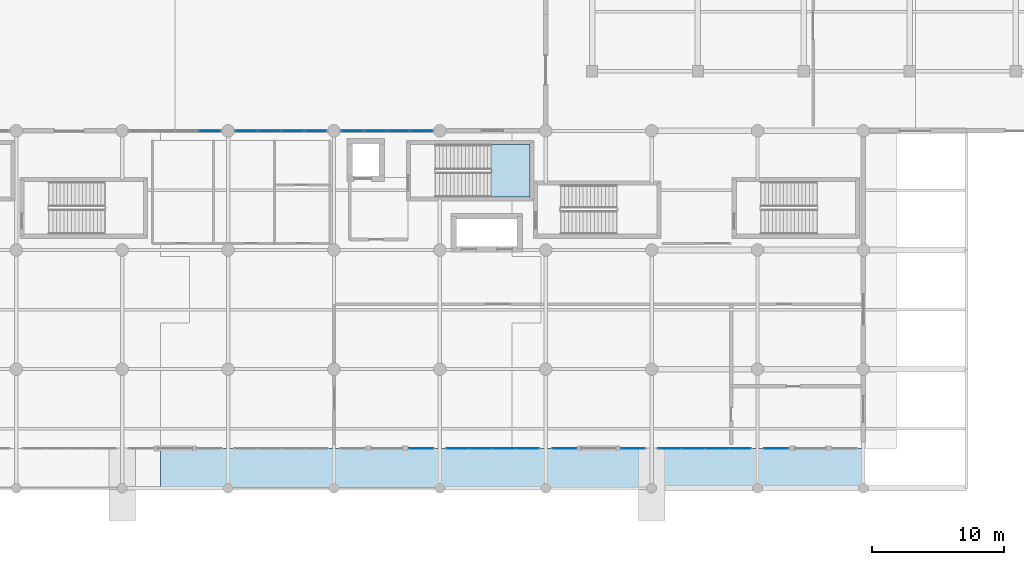
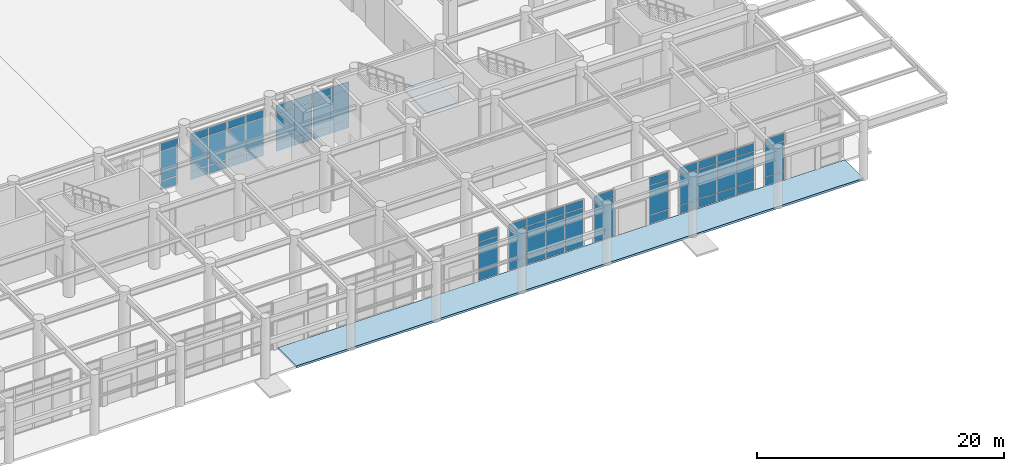
# One storey, part 21 of 49: 63 plates, 2 slabs, 10 elements without a shape of their own.
"""IFC4 building model written with IfcOpenShell, lengths in metres."""

import ifcopenshell
import ifcopenshell.guid

model = None  # the IFC model being written
_history = None  # IfcOwnerHistory: only IFC2X3 demands one
_inside = {}  # id of a spatial element -> (the spatial element, [elements in it])
_under = {}  # id of a project, library or spatial element -> (it, [spatial elements below it])
_declared = {}  # id of a project -> (the project, [libraries it declares])
_typed = {}  # id of a type object -> (the type object, [elements of that type])
_made_of = {}  # id of a material, layer set ... -> (it, [elements and type objects made of it])


def new_model(schema):
    """Start an empty IFC model of exactly this schema.

    Asked for "IFC4X3", IfcOpenShell would pick the latest addendum, in which some entities
    have other attributes; the version numbers below select the first issue.
    IFC2X3 requires an IfcOwnerHistory on every rooted entity: one is made here for all.
    """
    global model, _history
    if schema == "IFC4X3":
        model = ifcopenshell.file(schema_version=(4, 3, 0, 0))
    else:
        model = ifcopenshell.file(schema=schema)
    _inside.clear()
    _under.clear()
    _declared.clear()
    _typed.clear()
    _made_of.clear()
    _history = None
    if model.schema == "IFC2X3":
        org = make("IfcOrganization", Name="unknown")
        user = make(
            "IfcPersonAndOrganization",
            ThePerson=make("IfcPerson", FamilyName="unknown"),
            TheOrganization=org,
        )
        app = make(
            "IfcApplication",
            ApplicationDeveloper=org,
            Version="unknown",
            ApplicationFullName="unknown",
            ApplicationIdentifier="unknown",
        )
        _history = make(
            "IfcOwnerHistory",
            OwningUser=user,
            OwningApplication=app,
            ChangeAction="ADDED",
            CreationDate=0,
        )
    return model


def make(cls, **values):
    """One entity of the class cls with the attributes given. An attribute that is None is left unset."""
    return model.create_entity(
        cls, **{name: value for name, value in values.items() if value is not None}
    )


def rooted(cls, **values):
    """An entity with a GlobalId (a new one), such as an element, a storey or a relation."""
    return make(cls, GlobalId=ifcopenshell.guid.new(), OwnerHistory=_history, **values)


def si_unit(unit_type, name, prefix=None):
    """IfcSIUnit, for example si_unit("LENGTHUNIT", "METRE", prefix="MILLI")."""
    return make("IfcSIUnit", UnitType=unit_type, Prefix=prefix, Name=name)


def assignment(units):
    """IfcUnitAssignment: the units of a project."""
    return None if units is None else make("IfcUnitAssignment", Units=units)


def point(xyz):
    """IfcCartesianPoint."""
    return None if xyz is None else make("IfcCartesianPoint", Coordinates=xyz)


def direction(xyz):
    """IfcDirection."""
    return None if xyz is None else make("IfcDirection", DirectionRatios=xyz)


def frame(location, z_axis=None, x_axis=None):
    """IfcAxis2Placement3D, a coordinate frame: its origin and axes. An axis left out is left unset."""
    return make(
        "IfcAxis2Placement3D",
        Location=point(location),
        Axis=direction(z_axis),
        RefDirection=direction(x_axis),
    )


def frame_2d(location, x_axis=None):
    """IfcAxis2Placement2D, a coordinate frame in the plane: its origin and x axis."""
    return make(
        "IfcAxis2Placement2D", Location=point(location), RefDirection=direction(x_axis)
    )


def origin():
    """The frame at (0, 0, 0) with its axes left unset."""
    return frame((0.0, 0.0, 0.0))


def origin_2d():
    """The frame at (0, 0) in the plane with its x axis left unset."""
    return frame_2d((0.0, 0.0))


def place(relative_to, where):
    """IfcLocalPlacement: puts the frame where relative to a parent placement (None: the world)."""
    return make(
        "IfcLocalPlacement", PlacementRelTo=relative_to, RelativePlacement=where
    )


def context(
    kind, dimensions, precision=None, world=None, true_north=None, identifier=None
):
    """IfcGeometricRepresentationContext, for example the 3D "Model" context."""
    return make(
        "IfcGeometricRepresentationContext",
        ContextIdentifier=identifier,
        ContextType=kind,
        CoordinateSpaceDimension=dimensions,
        Precision=precision,
        WorldCoordinateSystem=world,
        TrueNorth=true_north,
    )


def subcontext(parent, identifier, kind, view, scale=None):
    """IfcGeometricRepresentationSubContext, for example "Body" below "Model"."""
    return make(
        "IfcGeometricRepresentationSubContext",
        ContextIdentifier=identifier,
        ContextType=kind,
        ParentContext=parent,
        TargetScale=scale,
        TargetView=view,
    )


def project(units=None, contexts=None):
    """IfcProject with its units and contexts."""
    return rooted(
        "IfcProject",
        Name="project",
        RepresentationContexts=contexts,
        UnitsInContext=assignment(units),
    )


def spatial(cls, under=None, at=None, **own):
    """A site, building, storey or space (cls), placed at a placement, below another one or the project."""
    s = rooted(cls, ObjectPlacement=at, **own)
    if under is not None:
        _under.setdefault(under.id(), (under, []))[1].append(s)
    return s


def polyline(points):
    """IfcPolyline through the points."""
    return make("IfcPolyline", Points=[point(p) for p in points])


def profile(cls, at=None, kind="AREA", **sizes):
    """A parametric profile (cls). Its sizes go by their IFC names, for example OverallWidth=200.0."""
    return make(cls, ProfileType=kind, Position=at, **sizes)


def rectangle(**sizes):
    """IfcRectangleProfileDef."""
    return profile("IfcRectangleProfileDef", **sizes)


def outline(outer, holes=None, kind="AREA"):
    """IfcArbitraryClosedProfileDef: a profile drawn as a closed curve; with holes, ...WithVoids."""
    if holes is None:
        return make("IfcArbitraryClosedProfileDef", ProfileType=kind, OuterCurve=outer)
    return make(
        "IfcArbitraryProfileDefWithVoids",
        ProfileType=kind,
        OuterCurve=outer,
        InnerCurves=holes,
    )


def extrude(swept, where, along, depth):
    """IfcExtrudedAreaSolid: the profile swept, set in the frame where, extruded along a direction by depth."""
    return make(
        "IfcExtrudedAreaSolid",
        SweptArea=swept,
        Position=where,
        ExtrudedDirection=direction(along),
        Depth=depth,
    )


def shape(context_of_items, identifier, shape_type, items):
    """IfcShapeRepresentation: the items that make up one representation, for example the "Body"."""
    return make(
        "IfcShapeRepresentation",
        ContextOfItems=context_of_items,
        RepresentationIdentifier=identifier,
        RepresentationType=shape_type,
        Items=items,
    )


def material(Name=None, Category=None):
    """IfcMaterial."""
    return make("IfcMaterial", Name=Name, Category=Category)


def layer(
    of_material, thickness, ventilated=None, Name=None, Category=None, Priority=None
):
    """IfcMaterialLayer: one layer of a wall or slab, of a material (None: an air gap)."""
    return make(
        "IfcMaterialLayer",
        Material=of_material,
        LayerThickness=thickness,
        IsVentilated=ventilated,
        Name=Name,
        Category=Category,
        Priority=Priority,
    )


def layer_set(layers, Name=None):
    """IfcMaterialLayerSet."""
    return make("IfcMaterialLayerSet", MaterialLayers=layers, LayerSetName=Name)


def made_of(thing, what):
    """Note that an element or type object is made of a material, layer set ...; save() writes the relation."""
    if what is not None:
        _made_of.setdefault(what.id(), (what, []))[1].append(thing)
    return thing


def type_object(cls, material=None, **own):
    """A type object (cls), such as IfcWallType, which elements share."""
    return made_of(rooted(cls, **own), material)


def element(
    cls,
    number,
    at=None,
    inside=None,
    cuts=None,
    type_object=None,
    material=None,
    context=None,
    identifier="Body",
    shape_type=None,
    held_by="IfcProductDefinitionShape",
    body=None,
    shapes=None,
    **own,
):
    """One element of the class cls, such as IfcWall. Its Tag is "e" and its number.

    at: its placement. inside: the storey or other place that contains it. cuts: it is an
    opening in that element (IfcRelVoidsElement). A single representation is given by context,
    identifier, shape_type and body (its items); several are given by shapes. held_by: the class
    of the entity that holds the representations. save() writes the other relations.
    """
    e = rooted(cls, Tag="e%d" % number, ObjectPlacement=at, **own)
    if body is not None:
        shapes = [shape(context, identifier, shape_type, body)]
    if shapes is not None:
        e.Representation = make(held_by, Representations=shapes)
    if inside is not None:
        _inside.setdefault(inside.id(), (inside, []))[1].append(e)
    if cuts is not None:
        rooted(
            "IfcRelVoidsElement", RelatingBuildingElement=cuts, RelatedOpeningElement=e
        )
    if type_object is not None:
        _typed.setdefault(type_object.id(), (type_object, []))[1].append(e)
    return made_of(e, material)


def aggregate(whole, parts):
    """IfcRelAggregates: a whole, such as a stair, and the parts it consists of."""
    return rooted("IfcRelAggregates", RelatingObject=whole, RelatedObjects=parts)


def save(model, path):
    """Write the relations noted so far, then the file.

    IfcRelAggregates (storeys below a building ...), IfcRelContainedInSpatialStructure (elements
    in a storey), IfcRelDefinesByType, IfcRelAssociatesMaterial and IfcRelDeclares: one each for
    every whole, place, type object, material and project.
    """
    for whole, parts in _under.values():
        aggregate(whole, parts)
    for where, things in _inside.values():
        rooted(
            "IfcRelContainedInSpatialStructure",
            RelatedElements=things,
            RelatingStructure=where,
        )
    for kind, things in _typed.values():
        rooted("IfcRelDefinesByType", RelatedObjects=things, RelatingType=kind)
    for what, things in _made_of.values():
        rooted("IfcRelAssociatesMaterial", RelatedObjects=things, RelatingMaterial=what)
    for by, libraries in _declared.values():
        rooted("IfcRelDeclares", RelatingContext=by, RelatedDefinitions=libraries)
    model.write(path)


model = new_model("IFC4")

# Units and contexts
model_context = context("Model", 3, precision=1e-05, world=origin(), true_north=direction((0.0, 1.0)))
body_context = subcontext(model_context, "Body", "Model", "MODEL_VIEW")
ifc_project = project(units=[si_unit("LENGTHUNIT", "METRE"), si_unit("AREAUNIT", "SQUARE_METRE"), si_unit("VOLUMEUNIT", "CUBIC_METRE"), si_unit("PLANEANGLEUNIT", "RADIAN"), si_unit("MASSUNIT", "GRAM", prefix="KILO")], contexts=[model_context])

# Site, building, storey
site_placement = place(None, origin())
site = spatial("IfcSite", under=ifc_project, at=site_placement, CompositionType="ELEMENT")
building_placement = place(site_placement, origin())
building = spatial("IfcBuilding", under=site, at=building_placement, Name="Tlacozan Convention Centre", CompositionType="ELEMENT")
storey_placement = place(building_placement, origin())
storey = spatial("IfcBuildingStorey", under=building, at=storey_placement, Name="L00", CompositionType="ELEMENT", Elevation=0.0)

# Curtain wall, plates
ifc_material_1 = material(Name="Dark Bronze Anodised Aluminium", Category="aluminium")
ifc_layer_1 = layer(ifc_material_1, 0.199951171875)
ifc_layer_set_1 = layer_set([ifc_layer_1], Name="Dark Bronze Anodised Aluminium")
curtain_wall_type_1 = type_object("IfcCurtainWallType", Name="Unitised Courtyard Cloister L00 CW07", PredefinedType="NOTDEFINED", material=ifc_layer_set_1)
curtain_wall_1_placement = place(storey_placement, origin())
curtain_wall_1 = element("IfcCurtainWall", 1, at=curtain_wall_1_placement, inside=storey, type_object=curtain_wall_type_1, Name="L00 CW-07 Run 52", PredefinedType="NOTDEFINED")
ifc_material_2 = material(Name="Solar Control Double Low-E Argon Glazing", Category="glass")
ifc_layer_2 = layer(ifc_material_2, 0.030029296875)
ifc_layer_set_2 = layer_set([ifc_layer_2], Name="Solar Control Double Low-E Argon Glazing")
plate_type_1 = type_object("IfcPlateType", Name="Double Low-E Acoustic CW Panel 30", PredefinedType="CURTAIN_PANEL", material=ifc_layer_set_2)
plate_1_placement = place(storey_placement, frame((62.606201171875, 27.0, 0.074951171875), z_axis=(0.0, 0.0, 1.0), x_axis=(1.0, 0.0, 0.0)))
plate_1 = element("IfcPlate", 2, at=plate_1_placement, type_object=plate_type_1, Name="CW-07 panel 4.1", PredefinedType="CURTAIN_PANEL", context=body_context, shape_type="SweptSolid", body=[
    extrude(rectangle(XDim=1.637451171875, YDim=0.030029296875, at=origin_2d()), origin(), (0.0, 0.0, 1.0), 0.78759765625),
])
plate_2_placement = place(storey_placement, frame((62.606201171875, 27.0, 0.9375), z_axis=(0.0, 0.0, 1.0), x_axis=(1.0, 0.0, 0.0)))
plate_2 = element("IfcPlate", 3, at=plate_2_placement, type_object=plate_type_1, Name="CW-07 panel 4.2", PredefinedType="CURTAIN_PANEL", context=body_context, shape_type="SweptSolid", body=[
    extrude(rectangle(XDim=1.637451171875, YDim=0.030029296875, at=origin_2d()), origin(), (0.0, 0.0, 1.0), 2.875),
])
plate_3_placement = place(storey_placement, frame((62.606201171875, 27.0, 3.8876953125), z_axis=(0.0, 0.0, 1.0), x_axis=(1.0, 0.0, 0.0)))
plate_3 = element("IfcPlate", 4, at=plate_3_placement, type_object=plate_type_1, Name="CW-07 panel 4.3", PredefinedType="CURTAIN_PANEL", context=body_context, shape_type="SweptSolid", body=[
    extrude(rectangle(XDim=1.637451171875, YDim=0.030029296875, at=origin_2d()), origin(), (0.0, 0.0, 1.0), 0.737548828125),
])
aggregate(curtain_wall_1, [plate_1, plate_2, plate_3])

curtain_wall_2_placement = place(storey_placement, origin())
curtain_wall_2 = element("IfcCurtainWall", 5, at=curtain_wall_2_placement, inside=storey, type_object=curtain_wall_type_1, Name="L00 CW-07 Run 53", PredefinedType="NOTDEFINED")
plate_4_placement = place(storey_placement, frame((65.393798828125, 27.0, 0.074951171875), z_axis=(0.0, 0.0, 1.0), x_axis=(1.0, 0.0, 0.0)))
plate_4 = element("IfcPlate", 6, at=plate_4_placement, type_object=plate_type_1, Name="CW-07 panel 1.1", PredefinedType="CURTAIN_PANEL", context=body_context, shape_type="SweptSolid", body=[
    extrude(rectangle(XDim=1.637451171875, YDim=0.030029296875, at=origin_2d()), origin(), (0.0, 0.0, 1.0), 0.78759765625),
])
plate_5_placement = place(storey_placement, frame((65.393798828125, 27.0, 0.9375), z_axis=(0.0, 0.0, 1.0), x_axis=(1.0, 0.0, 0.0)))
plate_5 = element("IfcPlate", 7, at=plate_5_placement, type_object=plate_type_1, Name="CW-07 panel 1.2", PredefinedType="CURTAIN_PANEL", context=body_context, shape_type="SweptSolid", body=[
    extrude(rectangle(XDim=1.637451171875, YDim=0.030029296875, at=origin_2d()), origin(), (0.0, 0.0, 1.0), 2.875),
])
plate_6_placement = place(storey_placement, frame((65.393798828125, 27.0, 3.8876953125), z_axis=(0.0, 0.0, 1.0), x_axis=(1.0, 0.0, 0.0)))
plate_6 = element("IfcPlate", 8, at=plate_6_placement, type_object=plate_type_1, Name="CW-07 panel 1.3", PredefinedType="CURTAIN_PANEL", context=body_context, shape_type="SweptSolid", body=[
    extrude(rectangle(XDim=1.637451171875, YDim=0.030029296875, at=origin_2d()), origin(), (0.0, 0.0, 1.0), 0.737548828125),
])
plate_7_placement = place(storey_placement, frame((67.125, 27.0, 0.074951171875), z_axis=(0.0, 0.0, 1.0), x_axis=(1.0, 0.0, 0.0)))
plate_7 = element("IfcPlate", 9, at=plate_7_placement, type_object=plate_type_1, Name="CW-07 panel 2.1", PredefinedType="CURTAIN_PANEL", context=body_context, shape_type="SweptSolid", body=[
    extrude(rectangle(XDim=1.675048828125, YDim=0.030029296875, at=origin_2d()), origin(), (0.0, 0.0, 1.0), 0.78759765625),
])
plate_8_placement = place(storey_placement, frame((67.125, 27.0, 0.9375), z_axis=(0.0, 0.0, 1.0), x_axis=(1.0, 0.0, 0.0)))
plate_8 = element("IfcPlate", 10, at=plate_8_placement, type_object=plate_type_1, Name="CW-07 panel 2.2", PredefinedType="CURTAIN_PANEL", context=body_context, shape_type="SweptSolid", body=[
    extrude(rectangle(XDim=1.675048828125, YDim=0.030029296875, at=origin_2d()), origin(), (0.0, 0.0, 1.0), 2.875),
])
plate_9_placement = place(storey_placement, frame((67.125, 27.0, 3.8876953125), z_axis=(0.0, 0.0, 1.0), x_axis=(1.0, 0.0, 0.0)))
plate_9 = element("IfcPlate", 11, at=plate_9_placement, type_object=plate_type_1, Name="CW-07 panel 2.3", PredefinedType="CURTAIN_PANEL", context=body_context, shape_type="SweptSolid", body=[
    extrude(rectangle(XDim=1.675048828125, YDim=0.030029296875, at=origin_2d()), origin(), (0.0, 0.0, 1.0), 0.737548828125),
])
plate_10_placement = place(storey_placement, frame((68.875, 27.0, 0.074951171875), z_axis=(0.0, 0.0, 1.0), x_axis=(1.0, 0.0, 0.0)))
plate_10 = element("IfcPlate", 12, at=plate_10_placement, type_object=plate_type_1, Name="CW-07 panel 3.1", PredefinedType="CURTAIN_PANEL", context=body_context, shape_type="SweptSolid", body=[
    extrude(rectangle(XDim=1.675048828125, YDim=0.030029296875, at=origin_2d()), origin(), (0.0, 0.0, 1.0), 0.78759765625),
])
plate_11_placement = place(storey_placement, frame((68.875, 27.0, 0.9375), z_axis=(0.0, 0.0, 1.0), x_axis=(1.0, 0.0, 0.0)))
plate_11 = element("IfcPlate", 13, at=plate_11_placement, type_object=plate_type_1, Name="CW-07 panel 3.2", PredefinedType="CURTAIN_PANEL", context=body_context, shape_type="SweptSolid", body=[
    extrude(rectangle(XDim=1.675048828125, YDim=0.030029296875, at=origin_2d()), origin(), (0.0, 0.0, 1.0), 2.875),
])
plate_12_placement = place(storey_placement, frame((68.875, 27.0, 3.8876953125), z_axis=(0.0, 0.0, 1.0), x_axis=(1.0, 0.0, 0.0)))
plate_12 = element("IfcPlate", 14, at=plate_12_placement, type_object=plate_type_1, Name="CW-07 panel 3.3", PredefinedType="CURTAIN_PANEL", context=body_context, shape_type="SweptSolid", body=[
    extrude(rectangle(XDim=1.675048828125, YDim=0.030029296875, at=origin_2d()), origin(), (0.0, 0.0, 1.0), 0.737548828125),
])
plate_13_placement = place(storey_placement, frame((70.606201171875, 27.0, 0.074951171875), z_axis=(0.0, 0.0, 1.0), x_axis=(1.0, 0.0, 0.0)))
plate_13 = element("IfcPlate", 15, at=plate_13_placement, type_object=plate_type_1, Name="CW-07 panel 4.1", PredefinedType="CURTAIN_PANEL", context=body_context, shape_type="SweptSolid", body=[
    extrude(rectangle(XDim=1.637451171875, YDim=0.030029296875, at=origin_2d()), origin(), (0.0, 0.0, 1.0), 0.78759765625),
])
plate_14_placement = place(storey_placement, frame((70.606201171875, 27.0, 0.9375), z_axis=(0.0, 0.0, 1.0), x_axis=(1.0, 0.0, 0.0)))
plate_14 = element("IfcPlate", 16, at=plate_14_placement, type_object=plate_type_1, Name="CW-07 panel 4.2", PredefinedType="CURTAIN_PANEL", context=body_context, shape_type="SweptSolid", body=[
    extrude(rectangle(XDim=1.637451171875, YDim=0.030029296875, at=origin_2d()), origin(), (0.0, 0.0, 1.0), 2.875),
])
plate_15_placement = place(storey_placement, frame((70.606201171875, 27.0, 3.8876953125), z_axis=(0.0, 0.0, 1.0), x_axis=(1.0, 0.0, 0.0)))
plate_15 = element("IfcPlate", 17, at=plate_15_placement, type_object=plate_type_1, Name="CW-07 panel 4.3", PredefinedType="CURTAIN_PANEL", context=body_context, shape_type="SweptSolid", body=[
    extrude(rectangle(XDim=1.637451171875, YDim=0.030029296875, at=origin_2d()), origin(), (0.0, 0.0, 1.0), 0.737548828125),
])
aggregate(curtain_wall_2, [plate_4, plate_5, plate_6, plate_7, plate_8, plate_9, plate_10, plate_11, plate_12, plate_13, plate_14, plate_15])

curtain_wall_3_placement = place(storey_placement, origin())
curtain_wall_3 = element("IfcCurtainWall", 18, at=curtain_wall_3_placement, inside=storey, type_object=curtain_wall_type_1, Name="L00 CW-07 Run 54", PredefinedType="NOTDEFINED")
plate_16_placement = place(storey_placement, frame((73.393798828125, 27.0, 0.074951171875), z_axis=(0.0, 0.0, 1.0), x_axis=(1.0, 0.0, 0.0)))
plate_16 = element("IfcPlate", 19, at=plate_16_placement, type_object=plate_type_1, Name="CW-07 panel 1.1", PredefinedType="CURTAIN_PANEL", context=body_context, shape_type="SweptSolid", body=[
    extrude(rectangle(XDim=1.637451171875, YDim=0.030029296875, at=origin_2d()), origin(), (0.0, 0.0, 1.0), 0.78759765625),
])
plate_17_placement = place(storey_placement, frame((73.393798828125, 27.0, 0.9375), z_axis=(0.0, 0.0, 1.0), x_axis=(1.0, 0.0, 0.0)))
plate_17 = element("IfcPlate", 20, at=plate_17_placement, type_object=plate_type_1, Name="CW-07 panel 1.2", PredefinedType="CURTAIN_PANEL", context=body_context, shape_type="SweptSolid", body=[
    extrude(rectangle(XDim=1.637451171875, YDim=0.030029296875, at=origin_2d()), origin(), (0.0, 0.0, 1.0), 2.875),
])
plate_18_placement = place(storey_placement, frame((73.393798828125, 27.0, 3.8876953125), z_axis=(0.0, 0.0, 1.0), x_axis=(1.0, 0.0, 0.0)))
plate_18 = element("IfcPlate", 21, at=plate_18_placement, type_object=plate_type_1, Name="CW-07 panel 1.3", PredefinedType="CURTAIN_PANEL", context=body_context, shape_type="SweptSolid", body=[
    extrude(rectangle(XDim=1.637451171875, YDim=0.030029296875, at=origin_2d()), origin(), (0.0, 0.0, 1.0), 0.737548828125),
])
plate_19_placement = place(storey_placement, frame((75.125, 27.0, 0.074951171875), z_axis=(0.0, 0.0, 1.0), x_axis=(1.0, 0.0, 0.0)))
plate_19 = element("IfcPlate", 22, at=plate_19_placement, type_object=plate_type_1, Name="CW-07 panel 2.1", PredefinedType="CURTAIN_PANEL", context=body_context, shape_type="SweptSolid", body=[
    extrude(rectangle(XDim=1.675048828125, YDim=0.030029296875, at=origin_2d()), origin(), (0.0, 0.0, 1.0), 0.78759765625),
])
plate_20_placement = place(storey_placement, frame((75.125, 27.0, 0.9375), z_axis=(0.0, 0.0, 1.0), x_axis=(1.0, 0.0, 0.0)))
plate_20 = element("IfcPlate", 23, at=plate_20_placement, type_object=plate_type_1, Name="CW-07 panel 2.2", PredefinedType="CURTAIN_PANEL", context=body_context, shape_type="SweptSolid", body=[
    extrude(rectangle(XDim=1.675048828125, YDim=0.030029296875, at=origin_2d()), origin(), (0.0, 0.0, 1.0), 2.875),
])
plate_21_placement = place(storey_placement, frame((75.125, 27.0, 3.8876953125), z_axis=(0.0, 0.0, 1.0), x_axis=(1.0, 0.0, 0.0)))
plate_21 = element("IfcPlate", 24, at=plate_21_placement, type_object=plate_type_1, Name="CW-07 panel 2.3", PredefinedType="CURTAIN_PANEL", context=body_context, shape_type="SweptSolid", body=[
    extrude(rectangle(XDim=1.675048828125, YDim=0.030029296875, at=origin_2d()), origin(), (0.0, 0.0, 1.0), 0.737548828125),
])
plate_22_placement = place(storey_placement, frame((76.875, 27.0, 0.074951171875), z_axis=(0.0, 0.0, 1.0), x_axis=(1.0, 0.0, 0.0)))
plate_22 = element("IfcPlate", 25, at=plate_22_placement, type_object=plate_type_1, Name="CW-07 panel 3.1", PredefinedType="CURTAIN_PANEL", context=body_context, shape_type="SweptSolid", body=[
    extrude(rectangle(XDim=1.675048828125, YDim=0.030029296875, at=origin_2d()), origin(), (0.0, 0.0, 1.0), 0.78759765625),
])
plate_23_placement = place(storey_placement, frame((76.875, 27.0, 0.9375), z_axis=(0.0, 0.0, 1.0), x_axis=(1.0, 0.0, 0.0)))
plate_23 = element("IfcPlate", 26, at=plate_23_placement, type_object=plate_type_1, Name="CW-07 panel 3.2", PredefinedType="CURTAIN_PANEL", context=body_context, shape_type="SweptSolid", body=[
    extrude(rectangle(XDim=1.675048828125, YDim=0.030029296875, at=origin_2d()), origin(), (0.0, 0.0, 1.0), 2.875),
])
plate_24_placement = place(storey_placement, frame((76.875, 27.0, 3.8876953125), z_axis=(0.0, 0.0, 1.0), x_axis=(1.0, 0.0, 0.0)))
plate_24 = element("IfcPlate", 27, at=plate_24_placement, type_object=plate_type_1, Name="CW-07 panel 3.3", PredefinedType="CURTAIN_PANEL", context=body_context, shape_type="SweptSolid", body=[
    extrude(rectangle(XDim=1.675048828125, YDim=0.030029296875, at=origin_2d()), origin(), (0.0, 0.0, 1.0), 0.737548828125),
])
plate_25_placement = place(storey_placement, frame((78.606201171875, 27.0, 0.074951171875), z_axis=(0.0, 0.0, 1.0), x_axis=(1.0, 0.0, 0.0)))
plate_25 = element("IfcPlate", 28, at=plate_25_placement, type_object=plate_type_1, Name="CW-07 panel 4.1", PredefinedType="CURTAIN_PANEL", context=body_context, shape_type="SweptSolid", body=[
    extrude(rectangle(XDim=1.637451171875, YDim=0.030029296875, at=origin_2d()), origin(), (0.0, 0.0, 1.0), 0.78759765625),
])
plate_26_placement = place(storey_placement, frame((78.606201171875, 27.0, 0.9375), z_axis=(0.0, 0.0, 1.0), x_axis=(1.0, 0.0, 0.0)))
plate_26 = element("IfcPlate", 29, at=plate_26_placement, type_object=plate_type_1, Name="CW-07 panel 4.2", PredefinedType="CURTAIN_PANEL", context=body_context, shape_type="SweptSolid", body=[
    extrude(rectangle(XDim=1.637451171875, YDim=0.030029296875, at=origin_2d()), origin(), (0.0, 0.0, 1.0), 2.875),
])
plate_27_placement = place(storey_placement, frame((78.606201171875, 27.0, 3.8876953125), z_axis=(0.0, 0.0, 1.0), x_axis=(1.0, 0.0, 0.0)))
plate_27 = element("IfcPlate", 30, at=plate_27_placement, type_object=plate_type_1, Name="CW-07 panel 4.3", PredefinedType="CURTAIN_PANEL", context=body_context, shape_type="SweptSolid", body=[
    extrude(rectangle(XDim=1.637451171875, YDim=0.030029296875, at=origin_2d()), origin(), (0.0, 0.0, 1.0), 0.737548828125),
])
aggregate(curtain_wall_3, [plate_16, plate_17, plate_18, plate_19, plate_20, plate_21, plate_22, plate_23, plate_24, plate_25, plate_26, plate_27])

ifc_layer_3 = layer(ifc_material_1, 0.159912109375)
ifc_layer_set_3 = layer_set([ifc_layer_3], Name="Dark Bronze Anodised Aluminium")
curtain_wall_type_2 = type_object("IfcCurtainWallType", Name="Unitised Concourse Curtain Wall CW01", PredefinedType="NOTDEFINED", material=ifc_layer_set_3)
curtain_wall_4_placement = place(storey_placement, origin())
curtain_wall_4 = element("IfcCurtainWall", 31, at=curtain_wall_4_placement, inside=storey, type_object=curtain_wall_type_2, Name="L00 CW-01 Run 43", PredefinedType="NOTDEFINED")
ifc_layer_4 = layer(ifc_material_2, 0.02001953125)
ifc_layer_set_4 = layer_set([ifc_layer_4], Name="Solar Control Double Low-E Argon Glazing")
plate_type_2 = type_object("IfcPlateType", Name="Double Low-E Glazed CW Panel 20", PredefinedType="CURTAIN_PANEL", material=ifc_layer_set_4)
plate_28_placement = place(storey_placement, frame((78.5849609375, 3.0, 0.06494140625), z_axis=(0.0, 0.0, 1.0), x_axis=(1.0, 0.0, 0.0)))
plate_28 = element("IfcPlate", 32, at=plate_28_placement, type_object=plate_type_2, Name="CW-01 panel 1.1", PredefinedType="CURTAIN_PANEL", context=body_context, shape_type="SweptSolid", body=[
    extrude(rectangle(XDim=1.800048828125, YDim=0.02001953125, at=origin_2d()), origin(), (0.0, 0.0, 1.0), 0.802490234375),
])
plate_29_placement = place(storey_placement, frame((78.5849609375, 3.0, 0.9326171875), z_axis=(0.0, 0.0, 1.0), x_axis=(1.0, 0.0, 0.0)))
plate_29 = element("IfcPlate", 33, at=plate_29_placement, type_object=plate_type_2, Name="CW-01 panel 1.2", PredefinedType="CURTAIN_PANEL", context=body_context, shape_type="SweptSolid", body=[
    extrude(rectangle(XDim=1.800048828125, YDim=0.02001953125, at=origin_2d()), origin(), (0.0, 0.0, 1.0), 2.885009765625),
])
plate_30_placement = place(storey_placement, frame((78.5849609375, 3.0, 3.882568359375), z_axis=(0.0, 0.0, 1.0), x_axis=(1.0, 0.0, 0.0)))
plate_30 = element("IfcPlate", 34, at=plate_30_placement, type_object=plate_type_2, Name="CW-01 panel 1.3", PredefinedType="CURTAIN_PANEL", context=body_context, shape_type="SweptSolid", body=[
    extrude(rectangle(XDim=1.800048828125, YDim=0.02001953125, at=origin_2d()), origin(), (0.0, 0.0, 1.0), 0.75244140625),
])
aggregate(curtain_wall_4, [plate_28, plate_29, plate_30])

curtain_wall_5_placement = place(storey_placement, origin())
curtain_wall_5 = element("IfcCurtainWall", 35, at=curtain_wall_5_placement, inside=storey, type_object=curtain_wall_type_2, Name="L00 CW-01 Run 44", PredefinedType="NOTDEFINED")
plate_31_placement = place(storey_placement, frame((81.353759765625, 3.0, 0.06494140625), z_axis=(0.0, 0.0, 1.0), x_axis=(1.0, 0.0, 0.0)))
plate_31 = element("IfcPlate", 36, at=plate_31_placement, type_object=plate_type_2, Name="CW-01 panel 1.1", PredefinedType="CURTAIN_PANEL", context=body_context, shape_type="SweptSolid", body=[
    extrude(rectangle(XDim=1.677490234375, YDim=0.02001953125, at=origin_2d()), origin(), (0.0, 0.0, 1.0), 0.802490234375),
])
plate_32_placement = place(storey_placement, frame((81.353759765625, 3.0, 0.9326171875), z_axis=(0.0, 0.0, 1.0), x_axis=(1.0, 0.0, 0.0)))
plate_32 = element("IfcPlate", 37, at=plate_32_placement, type_object=plate_type_2, Name="CW-01 panel 1.2", PredefinedType="CURTAIN_PANEL", context=body_context, shape_type="SweptSolid", body=[
    extrude(rectangle(XDim=1.677490234375, YDim=0.02001953125, at=origin_2d()), origin(), (0.0, 0.0, 1.0), 2.885009765625),
])
plate_33_placement = place(storey_placement, frame((81.353759765625, 3.0, 3.882568359375), z_axis=(0.0, 0.0, 1.0), x_axis=(1.0, 0.0, 0.0)))
plate_33 = element("IfcPlate", 38, at=plate_33_placement, type_object=plate_type_2, Name="CW-01 panel 1.3", PredefinedType="CURTAIN_PANEL", context=body_context, shape_type="SweptSolid", body=[
    extrude(rectangle(XDim=1.677490234375, YDim=0.02001953125, at=origin_2d()), origin(), (0.0, 0.0, 1.0), 0.75244140625),
])
plate_34_placement = place(storey_placement, frame((83.112548828125, 3.0, 0.06494140625), z_axis=(0.0, 0.0, 1.0), x_axis=(1.0, 0.0, 0.0)))
plate_34 = element("IfcPlate", 39, at=plate_34_placement, type_object=plate_type_2, Name="CW-01 panel 2.1", PredefinedType="CURTAIN_PANEL", context=body_context, shape_type="SweptSolid", body=[
    extrude(rectangle(XDim=1.7099609375, YDim=0.02001953125, at=origin_2d()), origin(), (0.0, 0.0, 1.0), 0.802490234375),
])
plate_35_placement = place(storey_placement, frame((83.112548828125, 3.0, 0.9326171875), z_axis=(0.0, 0.0, 1.0), x_axis=(1.0, 0.0, 0.0)))
plate_35 = element("IfcPlate", 40, at=plate_35_placement, type_object=plate_type_2, Name="CW-01 panel 2.2", PredefinedType="CURTAIN_PANEL", context=body_context, shape_type="SweptSolid", body=[
    extrude(rectangle(XDim=1.7099609375, YDim=0.02001953125, at=origin_2d()), origin(), (0.0, 0.0, 1.0), 2.885009765625),
])
plate_36_placement = place(storey_placement, frame((83.112548828125, 3.0, 3.882568359375), z_axis=(0.0, 0.0, 1.0), x_axis=(1.0, 0.0, 0.0)))
plate_36 = element("IfcPlate", 41, at=plate_36_placement, type_object=plate_type_2, Name="CW-01 panel 2.3", PredefinedType="CURTAIN_PANEL", context=body_context, shape_type="SweptSolid", body=[
    extrude(rectangle(XDim=1.7099609375, YDim=0.02001953125, at=origin_2d()), origin(), (0.0, 0.0, 1.0), 0.75244140625),
])
plate_37_placement = place(storey_placement, frame((84.887451171875, 3.0, 0.06494140625), z_axis=(0.0, 0.0, 1.0), x_axis=(1.0, 0.0, 0.0)))
plate_37 = element("IfcPlate", 42, at=plate_37_placement, type_object=plate_type_2, Name="CW-01 panel 3.1", PredefinedType="CURTAIN_PANEL", context=body_context, shape_type="SweptSolid", body=[
    extrude(rectangle(XDim=1.7099609375, YDim=0.02001953125, at=origin_2d()), origin(), (0.0, 0.0, 1.0), 0.802490234375),
])
plate_38_placement = place(storey_placement, frame((84.887451171875, 3.0, 0.9326171875), z_axis=(0.0, 0.0, 1.0), x_axis=(1.0, 0.0, 0.0)))
plate_38 = element("IfcPlate", 43, at=plate_38_placement, type_object=plate_type_2, Name="CW-01 panel 3.2", PredefinedType="CURTAIN_PANEL", context=body_context, shape_type="SweptSolid", body=[
    extrude(rectangle(XDim=1.7099609375, YDim=0.02001953125, at=origin_2d()), origin(), (0.0, 0.0, 1.0), 2.885009765625),
])
plate_39_placement = place(storey_placement, frame((84.887451171875, 3.0, 3.882568359375), z_axis=(0.0, 0.0, 1.0), x_axis=(1.0, 0.0, 0.0)))
plate_39 = element("IfcPlate", 44, at=plate_39_placement, type_object=plate_type_2, Name="CW-01 panel 3.3", PredefinedType="CURTAIN_PANEL", context=body_context, shape_type="SweptSolid", body=[
    extrude(rectangle(XDim=1.7099609375, YDim=0.02001953125, at=origin_2d()), origin(), (0.0, 0.0, 1.0), 0.75244140625),
])
plate_40_placement = place(storey_placement, frame((86.646240234375, 3.0, 0.06494140625), z_axis=(0.0, 0.0, 1.0), x_axis=(1.0, 0.0, 0.0)))
plate_40 = element("IfcPlate", 45, at=plate_40_placement, type_object=plate_type_2, Name="CW-01 panel 4.1", PredefinedType="CURTAIN_PANEL", context=body_context, shape_type="SweptSolid", body=[
    extrude(rectangle(XDim=1.677490234375, YDim=0.02001953125, at=origin_2d()), origin(), (0.0, 0.0, 1.0), 0.802490234375),
])
plate_41_placement = place(storey_placement, frame((86.646240234375, 3.0, 0.9326171875), z_axis=(0.0, 0.0, 1.0), x_axis=(1.0, 0.0, 0.0)))
plate_41 = element("IfcPlate", 46, at=plate_41_placement, type_object=plate_type_2, Name="CW-01 panel 4.2", PredefinedType="CURTAIN_PANEL", context=body_context, shape_type="SweptSolid", body=[
    extrude(rectangle(XDim=1.677490234375, YDim=0.02001953125, at=origin_2d()), origin(), (0.0, 0.0, 1.0), 2.885009765625),
])
plate_42_placement = place(storey_placement, frame((86.646240234375, 3.0, 3.882568359375), z_axis=(0.0, 0.0, 1.0), x_axis=(1.0, 0.0, 0.0)))
plate_42 = element("IfcPlate", 47, at=plate_42_placement, type_object=plate_type_2, Name="CW-01 panel 4.3", PredefinedType="CURTAIN_PANEL", context=body_context, shape_type="SweptSolid", body=[
    extrude(rectangle(XDim=1.677490234375, YDim=0.02001953125, at=origin_2d()), origin(), (0.0, 0.0, 1.0), 0.75244140625),
])
aggregate(curtain_wall_5, [plate_31, plate_32, plate_33, plate_34, plate_35, plate_36, plate_37, plate_38, plate_39, plate_40, plate_41, plate_42])

curtain_wall_6_placement = place(storey_placement, origin())
curtain_wall_6 = element("IfcCurtainWall", 48, at=curtain_wall_6_placement, inside=storey, type_object=curtain_wall_type_2, Name="L00 CW-01 Run 45", PredefinedType="NOTDEFINED")
plate_43_placement = place(storey_placement, frame((89.4150390625, 3.0, 0.06494140625), z_axis=(0.0, 0.0, 1.0), x_axis=(1.0, 0.0, 0.0)))
plate_43 = element("IfcPlate", 49, at=plate_43_placement, type_object=plate_type_2, Name="CW-01 panel 1.1", PredefinedType="CURTAIN_PANEL", context=body_context, shape_type="SweptSolid", body=[
    extrude(rectangle(XDim=1.800048828125, YDim=0.02001953125, at=origin_2d()), origin(), (0.0, 0.0, 1.0), 0.802490234375),
])
plate_44_placement = place(storey_placement, frame((89.4150390625, 3.0, 0.9326171875), z_axis=(0.0, 0.0, 1.0), x_axis=(1.0, 0.0, 0.0)))
plate_44 = element("IfcPlate", 50, at=plate_44_placement, type_object=plate_type_2, Name="CW-01 panel 1.2", PredefinedType="CURTAIN_PANEL", context=body_context, shape_type="SweptSolid", body=[
    extrude(rectangle(XDim=1.800048828125, YDim=0.02001953125, at=origin_2d()), origin(), (0.0, 0.0, 1.0), 2.885009765625),
])
plate_45_placement = place(storey_placement, frame((89.4150390625, 3.0, 3.882568359375), z_axis=(0.0, 0.0, 1.0), x_axis=(1.0, 0.0, 0.0)))
plate_45 = element("IfcPlate", 51, at=plate_45_placement, type_object=plate_type_2, Name="CW-01 panel 1.3", PredefinedType="CURTAIN_PANEL", context=body_context, shape_type="SweptSolid", body=[
    extrude(rectangle(XDim=1.800048828125, YDim=0.02001953125, at=origin_2d()), origin(), (0.0, 0.0, 1.0), 0.75244140625),
])
aggregate(curtain_wall_6, [plate_43, plate_44, plate_45])

curtain_wall_7_placement = place(storey_placement, origin())
curtain_wall_7 = element("IfcCurtainWall", 52, at=curtain_wall_7_placement, inside=storey, type_object=curtain_wall_type_2, Name="L00 CW-01 Run 46", PredefinedType="NOTDEFINED")
plate_46_placement = place(storey_placement, frame((94.5849609375, 3.0, 0.06494140625), z_axis=(0.0, 0.0, 1.0), x_axis=(1.0, 0.0, 0.0)))
plate_46 = element("IfcPlate", 53, at=plate_46_placement, type_object=plate_type_2, Name="CW-01 panel 1.1", PredefinedType="CURTAIN_PANEL", context=body_context, shape_type="SweptSolid", body=[
    extrude(rectangle(XDim=1.800048828125, YDim=0.02001953125, at=origin_2d()), origin(), (0.0, 0.0, 1.0), 0.802490234375),
])
plate_47_placement = place(storey_placement, frame((94.5849609375, 3.0, 0.9326171875), z_axis=(0.0, 0.0, 1.0), x_axis=(1.0, 0.0, 0.0)))
plate_47 = element("IfcPlate", 54, at=plate_47_placement, type_object=plate_type_2, Name="CW-01 panel 1.2", PredefinedType="CURTAIN_PANEL", context=body_context, shape_type="SweptSolid", body=[
    extrude(rectangle(XDim=1.800048828125, YDim=0.02001953125, at=origin_2d()), origin(), (0.0, 0.0, 1.0), 2.885009765625),
])
plate_48_placement = place(storey_placement, frame((94.5849609375, 3.0, 3.882568359375), z_axis=(0.0, 0.0, 1.0), x_axis=(1.0, 0.0, 0.0)))
plate_48 = element("IfcPlate", 55, at=plate_48_placement, type_object=plate_type_2, Name="CW-01 panel 1.3", PredefinedType="CURTAIN_PANEL", context=body_context, shape_type="SweptSolid", body=[
    extrude(rectangle(XDim=1.800048828125, YDim=0.02001953125, at=origin_2d()), origin(), (0.0, 0.0, 1.0), 0.75244140625),
])
aggregate(curtain_wall_7, [plate_46, plate_47, plate_48])

curtain_wall_8_placement = place(storey_placement, origin())
curtain_wall_8 = element("IfcCurtainWall", 56, at=curtain_wall_8_placement, inside=storey, type_object=curtain_wall_type_2, Name="L00 CW-01 Run 47", PredefinedType="NOTDEFINED")
plate_49_placement = place(storey_placement, frame((97.353759765625, 3.0, 0.06494140625), z_axis=(0.0, 0.0, 1.0), x_axis=(1.0, 0.0, 0.0)))
plate_49 = element("IfcPlate", 57, at=plate_49_placement, type_object=plate_type_2, Name="CW-01 panel 1.1", PredefinedType="CURTAIN_PANEL", context=body_context, shape_type="SweptSolid", body=[
    extrude(rectangle(XDim=1.677490234375, YDim=0.02001953125, at=origin_2d()), origin(), (0.0, 0.0, 1.0), 0.802490234375),
])
plate_50_placement = place(storey_placement, frame((97.353759765625, 3.0, 0.9326171875), z_axis=(0.0, 0.0, 1.0), x_axis=(1.0, 0.0, 0.0)))
plate_50 = element("IfcPlate", 58, at=plate_50_placement, type_object=plate_type_2, Name="CW-01 panel 1.2", PredefinedType="CURTAIN_PANEL", context=body_context, shape_type="SweptSolid", body=[
    extrude(rectangle(XDim=1.677490234375, YDim=0.02001953125, at=origin_2d()), origin(), (0.0, 0.0, 1.0), 2.885009765625),
])
plate_51_placement = place(storey_placement, frame((97.353759765625, 3.0, 3.882568359375), z_axis=(0.0, 0.0, 1.0), x_axis=(1.0, 0.0, 0.0)))
plate_51 = element("IfcPlate", 59, at=plate_51_placement, type_object=plate_type_2, Name="CW-01 panel 1.3", PredefinedType="CURTAIN_PANEL", context=body_context, shape_type="SweptSolid", body=[
    extrude(rectangle(XDim=1.677490234375, YDim=0.02001953125, at=origin_2d()), origin(), (0.0, 0.0, 1.0), 0.75244140625),
])
plate_52_placement = place(storey_placement, frame((99.112548828125, 3.0, 0.06494140625), z_axis=(0.0, 0.0, 1.0), x_axis=(1.0, 0.0, 0.0)))
plate_52 = element("IfcPlate", 60, at=plate_52_placement, type_object=plate_type_2, Name="CW-01 panel 2.1", PredefinedType="CURTAIN_PANEL", context=body_context, shape_type="SweptSolid", body=[
    extrude(rectangle(XDim=1.7099609375, YDim=0.02001953125, at=origin_2d()), origin(), (0.0, 0.0, 1.0), 0.802490234375),
])
plate_53_placement = place(storey_placement, frame((99.112548828125, 3.0, 0.9326171875), z_axis=(0.0, 0.0, 1.0), x_axis=(1.0, 0.0, 0.0)))
plate_53 = element("IfcPlate", 61, at=plate_53_placement, type_object=plate_type_2, Name="CW-01 panel 2.2", PredefinedType="CURTAIN_PANEL", context=body_context, shape_type="SweptSolid", body=[
    extrude(rectangle(XDim=1.7099609375, YDim=0.02001953125, at=origin_2d()), origin(), (0.0, 0.0, 1.0), 2.885009765625),
])
plate_54_placement = place(storey_placement, frame((99.112548828125, 3.0, 3.882568359375), z_axis=(0.0, 0.0, 1.0), x_axis=(1.0, 0.0, 0.0)))
plate_54 = element("IfcPlate", 62, at=plate_54_placement, type_object=plate_type_2, Name="CW-01 panel 2.3", PredefinedType="CURTAIN_PANEL", context=body_context, shape_type="SweptSolid", body=[
    extrude(rectangle(XDim=1.7099609375, YDim=0.02001953125, at=origin_2d()), origin(), (0.0, 0.0, 1.0), 0.75244140625),
])
plate_55_placement = place(storey_placement, frame((100.887451171875, 3.0, 0.06494140625), z_axis=(0.0, 0.0, 1.0), x_axis=(1.0, 0.0, 0.0)))
plate_55 = element("IfcPlate", 63, at=plate_55_placement, type_object=plate_type_2, Name="CW-01 panel 3.1", PredefinedType="CURTAIN_PANEL", context=body_context, shape_type="SweptSolid", body=[
    extrude(rectangle(XDim=1.7099609375, YDim=0.02001953125, at=origin_2d()), origin(), (0.0, 0.0, 1.0), 0.802490234375),
])
plate_56_placement = place(storey_placement, frame((100.887451171875, 3.0, 0.9326171875), z_axis=(0.0, 0.0, 1.0), x_axis=(1.0, 0.0, 0.0)))
plate_56 = element("IfcPlate", 64, at=plate_56_placement, type_object=plate_type_2, Name="CW-01 panel 3.2", PredefinedType="CURTAIN_PANEL", context=body_context, shape_type="SweptSolid", body=[
    extrude(rectangle(XDim=1.7099609375, YDim=0.02001953125, at=origin_2d()), origin(), (0.0, 0.0, 1.0), 2.885009765625),
])
plate_57_placement = place(storey_placement, frame((100.887451171875, 3.0, 3.882568359375), z_axis=(0.0, 0.0, 1.0), x_axis=(1.0, 0.0, 0.0)))
plate_57 = element("IfcPlate", 65, at=plate_57_placement, type_object=plate_type_2, Name="CW-01 panel 3.3", PredefinedType="CURTAIN_PANEL", context=body_context, shape_type="SweptSolid", body=[
    extrude(rectangle(XDim=1.7099609375, YDim=0.02001953125, at=origin_2d()), origin(), (0.0, 0.0, 1.0), 0.75244140625),
])
plate_58_placement = place(storey_placement, frame((102.646240234375, 3.0, 0.06494140625), z_axis=(0.0, 0.0, 1.0), x_axis=(1.0, 0.0, 0.0)))
plate_58 = element("IfcPlate", 66, at=plate_58_placement, type_object=plate_type_2, Name="CW-01 panel 4.1", PredefinedType="CURTAIN_PANEL", context=body_context, shape_type="SweptSolid", body=[
    extrude(rectangle(XDim=1.677490234375, YDim=0.02001953125, at=origin_2d()), origin(), (0.0, 0.0, 1.0), 0.802490234375),
])
plate_59_placement = place(storey_placement, frame((102.646240234375, 3.0, 0.9326171875), z_axis=(0.0, 0.0, 1.0), x_axis=(1.0, 0.0, 0.0)))
plate_59 = element("IfcPlate", 67, at=plate_59_placement, type_object=plate_type_2, Name="CW-01 panel 4.2", PredefinedType="CURTAIN_PANEL", context=body_context, shape_type="SweptSolid", body=[
    extrude(rectangle(XDim=1.677490234375, YDim=0.02001953125, at=origin_2d()), origin(), (0.0, 0.0, 1.0), 2.885009765625),
])
plate_60_placement = place(storey_placement, frame((102.646240234375, 3.0, 3.882568359375), z_axis=(0.0, 0.0, 1.0), x_axis=(1.0, 0.0, 0.0)))
plate_60 = element("IfcPlate", 68, at=plate_60_placement, type_object=plate_type_2, Name="CW-01 panel 4.3", PredefinedType="CURTAIN_PANEL", context=body_context, shape_type="SweptSolid", body=[
    extrude(rectangle(XDim=1.677490234375, YDim=0.02001953125, at=origin_2d()), origin(), (0.0, 0.0, 1.0), 0.75244140625),
])
aggregate(curtain_wall_8, [plate_49, plate_50, plate_51, plate_52, plate_53, plate_54, plate_55, plate_56, plate_57, plate_58, plate_59, plate_60])

curtain_wall_9_placement = place(storey_placement, origin())
curtain_wall_9 = element("IfcCurtainWall", 69, at=curtain_wall_9_placement, inside=storey, type_object=curtain_wall_type_2, Name="L00 CW-01 Run 48", PredefinedType="NOTDEFINED")
plate_61_placement = place(storey_placement, frame((105.4150390625, 3.0, 0.06494140625), z_axis=(0.0, 0.0, 1.0), x_axis=(1.0, 0.0, 0.0)))
plate_61 = element("IfcPlate", 70, at=plate_61_placement, type_object=plate_type_2, Name="CW-01 panel 1.1", PredefinedType="CURTAIN_PANEL", context=body_context, shape_type="SweptSolid", body=[
    extrude(rectangle(XDim=1.800048828125, YDim=0.02001953125, at=origin_2d()), origin(), (0.0, 0.0, 1.0), 0.802490234375),
])
plate_62_placement = place(storey_placement, frame((105.4150390625, 3.0, 0.9326171875), z_axis=(0.0, 0.0, 1.0), x_axis=(1.0, 0.0, 0.0)))
plate_62 = element("IfcPlate", 71, at=plate_62_placement, type_object=plate_type_2, Name="CW-01 panel 1.2", PredefinedType="CURTAIN_PANEL", context=body_context, shape_type="SweptSolid", body=[
    extrude(rectangle(XDim=1.800048828125, YDim=0.02001953125, at=origin_2d()), origin(), (0.0, 0.0, 1.0), 2.885009765625),
])
plate_63_placement = place(storey_placement, frame((105.4150390625, 3.0, 3.882568359375), z_axis=(0.0, 0.0, 1.0), x_axis=(1.0, 0.0, 0.0)))
plate_63 = element("IfcPlate", 72, at=plate_63_placement, type_object=plate_type_2, Name="CW-01 panel 1.3", PredefinedType="CURTAIN_PANEL", context=body_context, shape_type="SweptSolid", body=[
    extrude(rectangle(XDim=1.800048828125, YDim=0.02001953125, at=origin_2d()), origin(), (0.0, 0.0, 1.0), 0.75244140625),
])
aggregate(curtain_wall_9, [plate_61, plate_62, plate_63])

# Slab
ifc_material_3 = material(Name="Concrete C35/45", Category="concrete")
ifc_layer_5 = layer(ifc_material_3, 0.2099609375)
ifc_layer_set_5 = layer_set([ifc_layer_5], Name="Concrete C35/45")
slab_type_1 = type_object("IfcSlabType", Name="Outdoor Park Colonnade Plinth 210", PredefinedType="FLOOR", material=ifc_layer_set_5)
slab_1_placement = place(storey_placement, frame((0.0, 0.0, -0.2099609375)))
element("IfcSlab", 73, at=slab_1_placement, inside=storey, type_object=slab_type_1, Name="L00 Outdoor Park Colonnade Plinth 210 29", PredefinedType="FLOOR", context=body_context, shape_type="SweptSolid", body=[
    extrude(outline(polyline([(58.89990234375, 0.0), (58.89990234375, 3.0), (112.0, 3.0), (112.0, 0.0), (58.89990234375, 0.0)])), origin(), (0.0, 0.0, 1.0), 0.2099609375),
])

# Stair, slab
ifc_material_4 = material(Name="Concrete C40/50", Category="concrete")
stair_type = type_object("IfcStairType", Name="Protected Dogleg Stair W188 H60", PredefinedType="HALF_TURN_STAIR", material=ifc_material_4)
stair_placement = place(storey_placement, origin())
stair = element("IfcStair", 74, at=stair_placement, inside=storey, type_object=stair_type, Name="L00 East Congress Core Stair ST-02", PredefinedType="HALF_TURN_STAIR")
ifc_layer_6 = layer(ifc_material_4, 0.199951171875)
ifc_layer_set_6 = layer_set([ifc_layer_6], Name="Concrete C40/50")
slab_type_2 = type_object("IfcSlabType", Name="Stair Half Landing Slab 200", PredefinedType="LANDING", material=ifc_layer_set_6)
slab_2_placement = place(storey_placement, frame((0.0, 0.0, 2.800048828125)))
slab_2 = element("IfcSlab", 75, at=slab_2_placement, type_object=slab_type_2, Name="ST-02 landing 1", PredefinedType="LANDING", context=body_context, shape_type="SweptSolid", body=[
    extrude(outline(polyline([(83.8798828125, 22.0), (86.800048828125, 22.0), (86.800048828125, 25.9599609375), (83.8798828125, 25.9599609375), (83.8798828125, 22.0)])), origin(), (0.0, 0.0, 1.0), 0.199951171875),
])
aggregate(stair, [slab_2])

save(model, "model.ifc")
